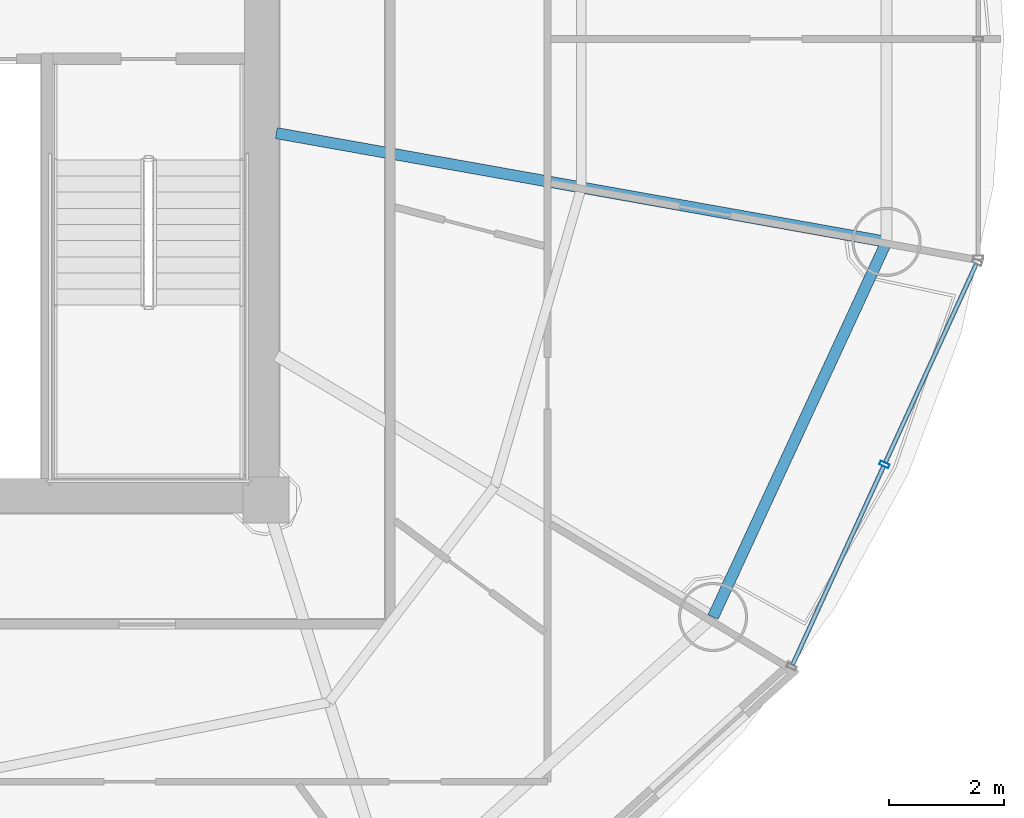
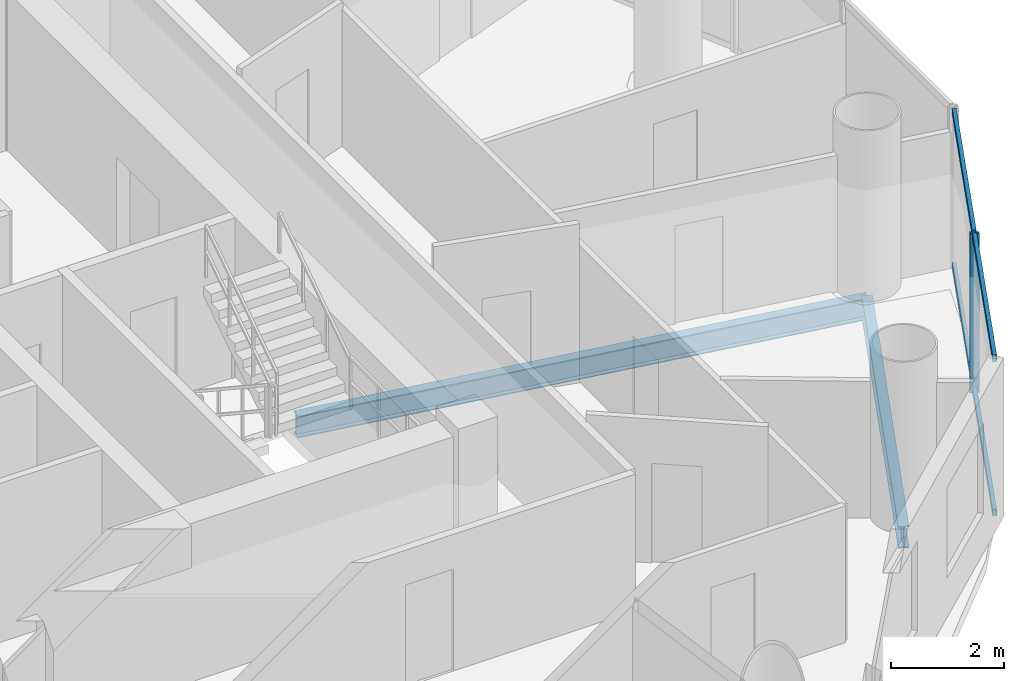
# One storey, part 12 of 26: 5 members, 2 beams, 1 element without a shape of its own.
"""IFC4 building model written with IfcOpenShell, lengths in metres."""

from ifc_helpers import new_model, si_unit, direction, frame, origin, origin_2d, place, context, subcontext, project, spatial, hollow_rectangle, i_section, extrude, source, transform, mapped, material, material_profile, profile_set, type_object, element, aggregate, save


model = new_model("IFC4")

# Units and contexts
model_context = context("Model", 3, precision=1e-05, world=origin(), true_north=direction((-0.2419218956, 0.970295726276)))
body_context = subcontext(model_context, "Body", "Model", "MODEL_VIEW")
ifc_project = project(units=[si_unit("LENGTHUNIT", "METRE"), si_unit("AREAUNIT", "SQUARE_METRE"), si_unit("VOLUMEUNIT", "CUBIC_METRE"), si_unit("PLANEANGLEUNIT", "RADIAN"), si_unit("MASSUNIT", "GRAM", prefix="KILO")], contexts=[model_context])

# Site, building, storey
site_placement = place(None, origin())
site = spatial("IfcSite", under=ifc_project, at=site_placement, CompositionType="ELEMENT")
building_placement = place(site_placement, origin())
building = spatial("IfcBuilding", under=site, at=building_placement, Name="Cobrevalo Terracotta Tower", CompositionType="ELEMENT")
storey_placement = place(building_placement, frame((0.0, 0.0, 224.5)))
storey = spatial("IfcBuildingStorey", under=building, at=storey_placement, Name="L59", CompositionType="ELEMENT", Elevation=224.5)

# Beams
ifc_material_1 = material(Name="Steel S355", Category="steel")
ifc_material_profile_1 = material_profile(ifc_material_1, i_section(OverallWidth=0.194091796875, OverallDepth=0.468994140625, WebThickness=0.011474609375, FlangeThickness=0.0205078125, at=origin_2d()), Name="W 460x106")
ifc_profile_set_1 = profile_set([ifc_material_profile_1], Name="Steel S355")
beam_type_1 = type_object("IfcBeamType", Name="Structural Beam W 460x106 (Steel S355)", PredefinedType="BEAM", material=ifc_profile_set_1)
beam_1_placement = place(storey_placement, frame((57.762939453125, 23.278564453125, -0.49951171875), z_axis=(-0.984493198547, 0.175422752274, 0.0), x_axis=(-0.175422752274, -0.984493198547, 0.0)))
element("IfcBeam", 1, at=beam_1_placement, inside=storey, type_object=beam_type_1, Name="L59 radial floor girder 16", PredefinedType="BEAM", context=body_context, shape_type="SweptSolid", body=[
    extrude(i_section(OverallWidth=0.194091796875, OverallDepth=0.468994140625, WebThickness=0.011474609375, FlangeThickness=0.0205078125, at=origin_2d()), origin(), (0.0, 0.0, 1.0), 10.749755859375),
])
ifc_material_profile_2 = material_profile(ifc_material_1, i_section(OverallWidth=0.194091796875, OverallDepth=0.468994140625, WebThickness=0.011474609375, FlangeThickness=0.0205078125, at=origin_2d()), Name="W 460x106")
ifc_profile_set_2 = profile_set([ifc_material_profile_2], Name="Steel S355")
beam_type_2 = type_object("IfcBeamType", Name="Structural Spandrel W 460x106 (Steel S355)", PredefinedType="SPANDREL", material=ifc_profile_set_2)
beam_2_placement = place(storey_placement, frame((54.754150390625, 16.77197265625, -0.49951171875), z_axis=(0.419718939129, 0.90765412583, 0.0), x_axis=(-0.90765412583, 0.419718939129, 0.0)))
element("IfcBeam", 2, at=beam_2_placement, inside=storey, type_object=beam_type_2, Name="L59 perimeter ring spandrel 15", PredefinedType="SPANDREL", context=body_context, shape_type="SweptSolid", body=[
    extrude(i_section(OverallWidth=0.194091796875, OverallDepth=0.468994140625, WebThickness=0.011474609375, FlangeThickness=0.0205078125, at=origin_2d()), origin(), (0.0, 0.0, 1.0), 7.168701171875),
])

# Curtain wall, members
ifc_material_2 = material(Name="Anodized aluminium", Category="aluminium")
curtain_wall_type = type_object("IfcCurtainWallType", Name="Mid-tower high-wind unitised curtain wall CW-U2", PredefinedType="NOTDEFINED", material=ifc_material_2)
curtain_wall_placement = place(storey_placement, origin())
curtain_wall = element("IfcCurtainWall", 3, at=curtain_wall_placement, inside=storey, type_object=curtain_wall_type, Name="L59 curtain wall CW-L59-S15", PredefinedType="NOTDEFINED")
ifc_material_profile_3 = material_profile(ifc_material_2, hollow_rectangle(XDim=0.074951171875, YDim=0.14990234375, WallThickness=0.00439453125, at=origin_2d()), Name="CWT 75x150")
ifc_profile_set_3 = profile_set([ifc_material_profile_3], Name="Anodized aluminium")
member_type_1 = type_object("IfcMemberType", Name="Tower unitised aluminium transom 75x150", PredefinedType="USERDEFINED", material=ifc_profile_set_3)
shared_shape_1 = source(origin(), body_context, "Body", "SweptSolid", [
    extrude(hollow_rectangle(XDim=0.074951171875, YDim=0.14990234375, WallThickness=0.00439453125, at=origin_2d()), origin(), (0.0, 0.0, 1.0), 3.780029296875),
])
member_1_placement = place(storey_placement, frame((56.134521484375, 15.944580078125, 0.050048828125), z_axis=(0.416705859352, 0.909041377926, 0.0), x_axis=(-0.909041377926, 0.416705859352, 0.0)))
member_1 = element("IfcMember", 4, at=member_1_placement, type_object=member_type_1, Name="CW-L59-S15 transom B01-T1", ObjectType="TRANSOM", PredefinedType="USERDEFINED", context=body_context, shape_type="MappedRepresentation", body=[
    mapped(shared_shape_1, transform((0.0, 0.0, 0.0), scale=1.0)),
])
member_2_placement = place(storey_placement, frame((56.134521484375, 15.944580078125, 3.385009765625), z_axis=(0.416705859352, 0.909041377926, 0.0), x_axis=(-0.909041377926, 0.416705859352, 0.0)))
member_2 = element("IfcMember", 5, at=member_2_placement, type_object=member_type_1, Name="CW-L59-S15 transom B01-T2", ObjectType="TRANSOM", PredefinedType="USERDEFINED", context=body_context, shape_type="MappedRepresentation", body=[
    mapped(shared_shape_1, transform((0.0, 0.0, 0.0), scale=1.0)),
])
member_3_placement = place(storey_placement, frame((57.7431640625, 19.45361328125, 0.050048828125), z_axis=(0.416705859352, 0.909041377926, 0.0), x_axis=(-0.909041377926, 0.416705859352, 0.0)))
member_3 = element("IfcMember", 6, at=member_3_placement, type_object=member_type_1, Name="CW-L59-S15 transom B02-T1", ObjectType="TRANSOM", PredefinedType="USERDEFINED", context=body_context, shape_type="MappedRepresentation", body=[
    mapped(shared_shape_1, transform((0.0, 0.0, 0.0), scale=1.0)),
])
member_4_placement = place(storey_placement, frame((57.7431640625, 19.45361328125, 3.385009765625), z_axis=(0.416705859352, 0.909041377926, 0.0), x_axis=(-0.909041377926, 0.416705859352, 0.0)))
member_4 = element("IfcMember", 7, at=member_4_placement, type_object=member_type_1, Name="CW-L59-S15 transom B02-T2", ObjectType="TRANSOM", PredefinedType="USERDEFINED", context=body_context, shape_type="MappedRepresentation", body=[
    mapped(shared_shape_1, transform((0.0, 0.0, 0.0), scale=1.0)),
])
ifc_material_profile_4 = material_profile(ifc_material_2, hollow_rectangle(XDim=0.070068359375, YDim=0.169921875, WallThickness=0.00439453125, at=origin_2d()), Name="CWM 70x170")
ifc_profile_set_4 = profile_set([ifc_material_profile_4], Name="Anodized aluminium")
member_type_2 = type_object("IfcMemberType", Name="Upper tower unitised mullion 70x170", PredefinedType="MULLION", material=ifc_profile_set_4)
shared_shape_2 = source(origin(), body_context, "Body", "SweptSolid", [
    extrude(hollow_rectangle(XDim=0.070068359375, YDim=0.169921875, WallThickness=0.00439453125, at=origin_2d()), origin(), (0.0, 0.0, 1.0), 3.43505859375),
])
member_5_placement = place(storey_placement, frame((57.726318359375, 19.417236328125, 0.0), z_axis=(0.0, 0.0, 1.0), x_axis=(0.41672507912, 0.909032567311, 0.0)))
member_5 = element("IfcMember", 8, at=member_5_placement, type_object=member_type_2, Name="CW-L59-S15 vertical mullion 02", PredefinedType="MULLION", context=body_context, shape_type="MappedRepresentation", body=[
    mapped(shared_shape_2, transform((0.0, 0.0, 0.0), scale=1.0)),
])
aggregate(curtain_wall, [member_5, member_1, member_2, member_3, member_4])

save(model, "model.ifc")
